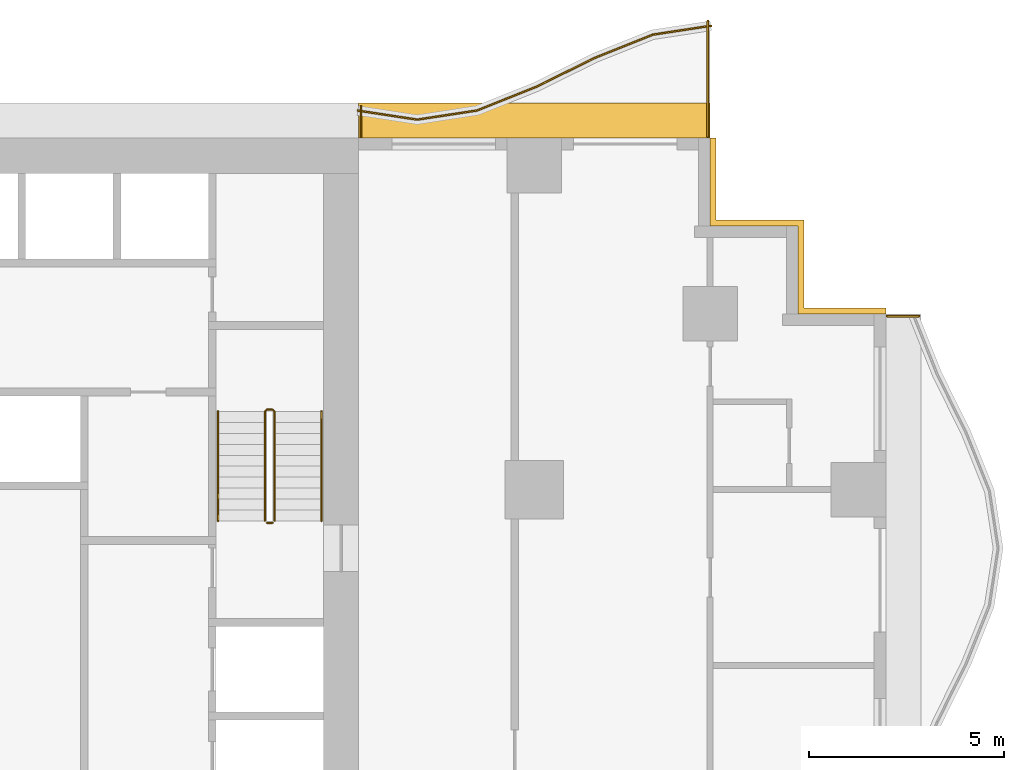
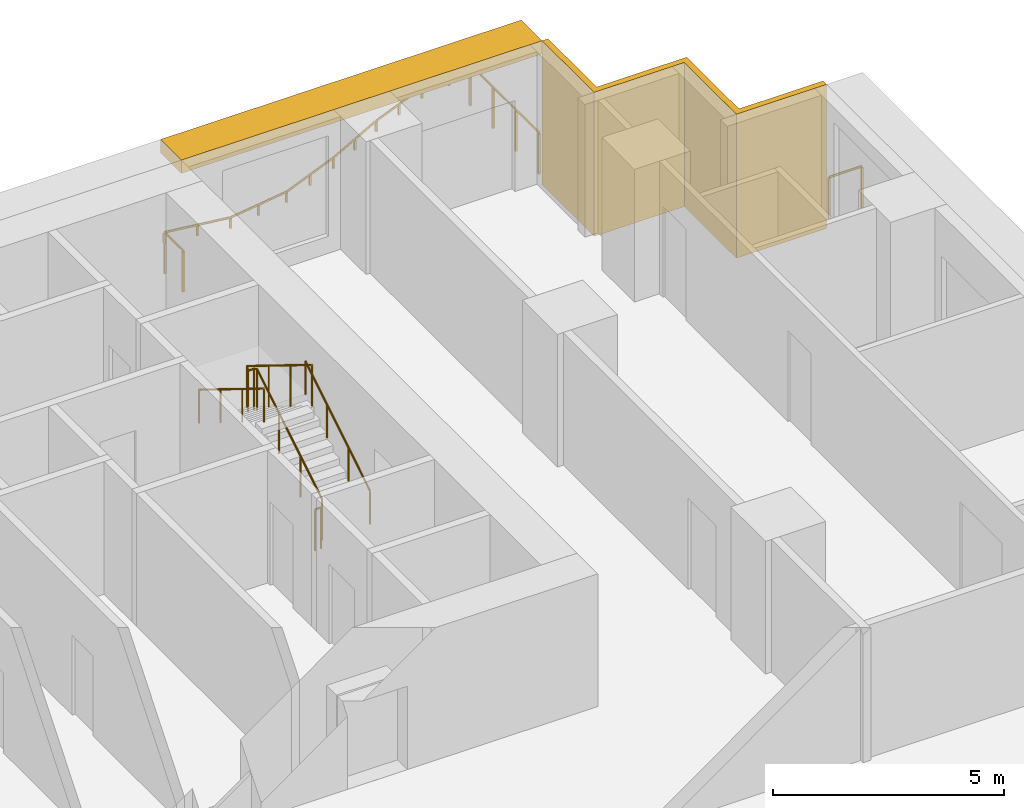
# One storey, part 13 of 13: 8 railings, 2 shading devices.
"""IFC4 building model written with IfcOpenShell, lengths in metres."""

from ifc_helpers import new_model, si_unit, direction, frame, origin, origin_2d, place, context, subcontext, project, spatial, polyline, rectangle, circle, outline, extrude, material, layer, layer_set, type_object, element, save


model = new_model("IFC4")

# Units and contexts
model_context = context("Model", 3, precision=1e-05, world=origin(), true_north=direction((0.0, 1.0)))
body_context = subcontext(model_context, "Body", "Model", "MODEL_VIEW")
ifc_project = project(units=[si_unit("LENGTHUNIT", "METRE"), si_unit("AREAUNIT", "SQUARE_METRE"), si_unit("VOLUMEUNIT", "CUBIC_METRE"), si_unit("PLANEANGLEUNIT", "RADIAN"), si_unit("MASSUNIT", "GRAM", prefix="KILO")], contexts=[model_context])

# Site, building, storey
site_placement = place(None, origin())
site = spatial("IfcSite", under=ifc_project, at=site_placement, CompositionType="ELEMENT")
building_placement = place(site_placement, origin())
building = spatial("IfcBuilding", under=site, at=building_placement, Name="Orbiselva Terraces", CompositionType="ELEMENT")
storey_placement = place(building_placement, frame((0.0, 0.0, 53.0)))
storey = spatial("IfcBuildingStorey", under=building, at=storey_placement, Name="L13", CompositionType="ELEMENT", Elevation=53.0)

# Railings
ifc_material_1 = material(Name="Stainless steel", Category="steel")
railing_type_1 = type_object("IfcRailingType", Name="CORE-GUARD-1100", PredefinedType="GUARDRAIL", material=ifc_material_1)
railing_1_placement = place(storey_placement, frame((11.35, 12.7, 0.172727)))
element("IfcRailing", 1, at=railing_1_placement, inside=storey, type_object=railing_type_1, Name="L13 S2 stair guard 1", PredefinedType="GUARDRAIL", context=body_context, shape_type="SweptSolid", body=[
    extrude(circle(Radius=0.024, at=origin_2d()), frame((0.0, 0.0, 1.081), z_axis=(0.0, 0.851088519012, 0.52502222125), x_axis=(-1.0, 0.0, 0.0)), (0.0, 0.0, 1.0), 3.289905),
    extrude(circle(Radius=0.024, at=origin_2d()), frame((0.0, 2.8, 2.808273), z_axis=(-0.707106781187, 0.707106781187, 0.0), x_axis=(-0.707106781187, -0.707106781187, 0.0)), (0.0, 0.0, 1.0), 0.070711),
    extrude(circle(Radius=0.024, at=origin_2d()), frame((-0.05, 2.85, 2.808273), z_axis=(-1.0, 0.0, 0.0), x_axis=(0.0, -1.0, 0.0)), (0.0, 0.0, 1.0), 0.15),
    extrude(circle(Radius=0.024, at=origin_2d()), frame((-0.2, 2.85, 2.808273), z_axis=(-0.267894925557, -0.267894925557, 0.925453736133), x_axis=(0.707106781187, -0.707106781187, 0.0)), (0.0, 0.0, 1.0), 0.18664),
    extrude(circle(Radius=0.024, at=origin_2d()), frame((-0.25, 2.8, 2.981), z_axis=(0.0, -0.851088519012, 0.52502222125), x_axis=(1.0, 0.0, 0.0)), (0.0, 0.0, 1.0), 3.289905),
    extrude(circle(Radius=0.021, at=origin_2d()), origin(), (0.0, 0.0, 1.0), 1.057),
    extrude(circle(Radius=0.021, at=origin_2d()), frame((0.0, 0.933333, 0.575758)), (0.0, 0.0, 1.0), 1.057),
    extrude(circle(Radius=0.021, at=origin_2d()), frame((0.0, 1.866667, 1.151515)), (0.0, 0.0, 1.0), 1.057),
    extrude(circle(Radius=0.021, at=origin_2d()), frame((0.0, 2.8, 1.727273)), (0.0, 0.0, 1.0), 1.057),
    extrude(circle(Radius=0.021, at=origin_2d()), frame((-0.05, 2.85, 1.727273)), (0.0, 0.0, 1.0), 1.057),
    extrude(circle(Radius=0.021, at=origin_2d()), frame((-0.2, 2.85, 1.727273)), (0.0, 0.0, 1.0), 1.057),
    extrude(circle(Radius=0.021, at=origin_2d()), frame((-0.25, 2.8, 1.9)), (0.0, 0.0, 1.0), 1.057),
    extrude(circle(Radius=0.021, at=origin_2d()), frame((-0.25, 1.866667, 2.475758)), (0.0, 0.0, 1.0), 1.057),
    extrude(circle(Radius=0.021, at=origin_2d()), frame((-0.25, 0.933333, 3.051515)), (0.0, 0.0, 1.0), 1.057),
    extrude(circle(Radius=0.021, at=origin_2d()), frame((-0.25, 0.0, 3.627273)), (0.0, 0.0, 1.0), 1.057),
])
railing_2_placement = place(storey_placement, frame((11.3, 12.65, 0.0)))
element("IfcRailing", 2, at=railing_2_placement, inside=storey, type_object=railing_type_1, Name="L13 S2 stair guard 2", PredefinedType="GUARDRAIL", context=body_context, shape_type="SweptSolid", body=[
    extrude(circle(Radius=0.024, at=origin_2d()), frame((0.0, 0.0, 1.081), z_axis=(-1.0, 0.0, 0.0), x_axis=(0.0, -1.0, 0.0)), (0.0, 0.0, 1.0), 0.15),
    extrude(circle(Radius=0.021, at=origin_2d()), origin(), (0.0, 0.0, 1.0), 1.057),
    extrude(circle(Radius=0.021, at=origin_2d()), frame((-0.15, 0.0, 0.0)), (0.0, 0.0, 1.0), 1.057),
])
railing_type_2 = type_object("IfcRailingType", Name="CORE-HANDRAIL-900", PredefinedType="HANDRAIL", material=ifc_material_1)
railing_3_placement = place(storey_placement, frame((12.55, 12.7, 0.172727)))
element("IfcRailing", 3, at=railing_3_placement, inside=storey, type_object=railing_type_2, Name="L13 S2 stair handrail 1", PredefinedType="HANDRAIL", context=body_context, shape_type="SweptSolid", body=[
    extrude(circle(Radius=0.024, at=origin_2d()), frame((0.0, 0.0, 0.876), z_axis=(0.0, 0.851088519012, 0.52502222125), x_axis=(-1.0, 0.0, 0.0)), (0.0, 0.0, 1.0), 3.289905),
    extrude(circle(Radius=0.021, at=origin_2d()), origin(), (0.0, 0.0, 1.0), 0.852),
    extrude(circle(Radius=0.021, at=origin_2d()), frame((0.0, 0.933333, 0.575758)), (0.0, 0.0, 1.0), 0.852),
    extrude(circle(Radius=0.021, at=origin_2d()), frame((0.0, 1.866667, 1.151515)), (0.0, 0.0, 1.0), 0.852),
    extrude(circle(Radius=0.021, at=origin_2d()), frame((0.0, 2.8, 1.727273)), (0.0, 0.0, 1.0), 0.852),
])
railing_4_placement = place(storey_placement, frame((9.9, 15.5, 2.072727)))
element("IfcRailing", 4, at=railing_4_placement, inside=storey, type_object=railing_type_2, Name="L13 S2 stair handrail 2", PredefinedType="HANDRAIL", context=body_context, shape_type="SweptSolid", body=[
    extrude(circle(Radius=0.024, at=origin_2d()), frame((0.0, 0.0, 0.876), z_axis=(0.0, -0.851088519012, 0.52502222125), x_axis=(1.0, 0.0, 0.0)), (0.0, 0.0, 1.0), 3.289905),
    extrude(circle(Radius=0.021, at=origin_2d()), origin(), (0.0, 0.0, 1.0), 0.852),
    extrude(circle(Radius=0.021, at=origin_2d()), frame((0.0, -0.933333, 0.575758)), (0.0, 0.0, 1.0), 0.852),
    extrude(circle(Radius=0.021, at=origin_2d()), frame((0.0, -1.866667, 1.151515)), (0.0, 0.0, 1.0), 0.852),
    extrude(circle(Radius=0.021, at=origin_2d()), frame((0.0, -2.8, 1.727273)), (0.0, 0.0, 1.0), 0.852),
])
ifc_material_2 = material(Name="Bonded two-ply safety glass balustrade, stainless steel posts", Category="steel")
railing_type_3 = type_object("IfcRailingType", Name="ENV-BALUSTRADE-1200", PredefinedType="BALUSTRADE", material=ifc_material_2)
railing_5_placement = place(storey_placement, frame((22.518879, 25.376434, 0.9)))
element("IfcRailing", 5, at=railing_5_placement, inside=storey, type_object=railing_type_3, Name="Balcony balustrade L13 NE", PredefinedType="BALUSTRADE", context=body_context, shape_type="SweptSolid", body=[
    extrude(outline(polyline([(0.028868, 0.0), (0.014434, 0.025), (-0.014434, 0.025), (-0.028868, 0.0), (-0.014434, -0.025), (0.014434, -0.025), (0.028868, 0.0)])), frame((0.0, 0.0, 0.275), z_axis=(-0.988528552748, -0.151034103443, 0.0), x_axis=(0.151034103443, -0.988528552748, 0.0)), (0.0, 0.0, 1.0), 1.503038),
    extrude(outline(polyline([(0.028868, 0.0), (0.014434, 0.025), (-0.014434, 0.025), (-0.028868, 0.0), (-0.014434, -0.025), (0.014434, -0.025), (0.028868, 0.0)])), frame((-1.485796, -0.22701, 0.275), z_axis=(-0.928476561272, -0.371391000387, 0.0), x_axis=(0.371391000387, -0.928476561272, 0.0)), (0.0, 0.0, 1.0), 1.596261),
    extrude(outline(polyline([(0.028868, 0.0), (0.014434, 0.025), (-0.014434, 0.025), (-0.028868, 0.0), (-0.014434, -0.025), (0.014434, -0.025), (0.028868, 0.0)])), frame((-2.967887, -0.819847, 0.275), z_axis=(-0.896416672454, -0.443212307306, 0.0), x_axis=(0.443212307306, -0.896416672454, 0.0)), (0.0, 0.0, 1.0), 1.673329),
    extrude(outline(polyline([(0.028868, 0.0), (0.014434, 0.025), (-0.014434, 0.025), (-0.028868, 0.0), (-0.014434, -0.025), (0.014434, -0.025), (0.028868, 0.0)])), frame((-4.467887, -1.561487, 0.275), z_axis=(-0.92847681744, -0.371390359967, 0.0), x_axis=(0.371390359967, -0.92847681744, 0.0)), (0.0, 0.0, 1.0), 1.634838),
    extrude(outline(polyline([(0.028868, 0.0), (0.014434, 0.025), (-0.014434, 0.025), (-0.028868, 0.0), (-0.014434, -0.025), (0.014434, -0.025), (0.028868, 0.0)])), frame((-5.985796, -2.16865, 0.275), z_axis=(-0.988528536275, -0.151034211256, 0.0), x_axis=(0.151034211256, -0.988528536275, 0.0)), (0.0, 0.0, 1.0), 1.550874),
    extrude(outline(polyline([(0.028868, 0.0), (0.014434, 0.025), (-0.014434, 0.025), (-0.028868, 0.0), (-0.014434, -0.025), (0.014434, -0.025), (0.028868, 0.0)])), frame((-7.518879, -2.402885, 0.275), z_axis=(-0.988528518286, 0.151034328999, 0.0), x_axis=(-0.151034328999, -0.988528518286, 0.0)), (0.0, 0.0, 1.0), 1.536505),
    extrude(rectangle(XDim=0.05, YDim=0.05, at=origin_2d()), origin(), (0.0, 0.0, 1.0), 0.25),
    extrude(rectangle(XDim=0.05, YDim=0.05, at=origin_2d()), frame((-0.742898, -0.113505, 0.0)), (0.0, 0.0, 1.0), 0.25),
    extrude(rectangle(XDim=0.05, YDim=0.05, at=origin_2d()), frame((-1.485796, -0.22701, 0.0)), (0.0, 0.0, 1.0), 0.25),
    extrude(rectangle(XDim=0.05, YDim=0.05, at=origin_2d()), frame((-2.226841, -0.523428, 0.0)), (0.0, 0.0, 1.0), 0.25),
    extrude(rectangle(XDim=0.05, YDim=0.05, at=origin_2d()), frame((-2.967887, -0.819847, 0.0)), (0.0, 0.0, 1.0), 0.25),
    extrude(rectangle(XDim=0.05, YDim=0.05, at=origin_2d()), frame((-3.717887, -1.190667, 0.0)), (0.0, 0.0, 1.0), 0.25),
    extrude(rectangle(XDim=0.05, YDim=0.05, at=origin_2d()), frame((-4.467887, -1.561487, 0.0)), (0.0, 0.0, 1.0), 0.25),
    extrude(rectangle(XDim=0.05, YDim=0.05, at=origin_2d()), frame((-5.226841, -1.865068, 0.0)), (0.0, 0.0, 1.0), 0.25),
    extrude(rectangle(XDim=0.05, YDim=0.05, at=origin_2d()), frame((-5.985796, -2.16865, 0.0)), (0.0, 0.0, 1.0), 0.25),
    extrude(rectangle(XDim=0.05, YDim=0.05, at=origin_2d()), frame((-6.752337, -2.285768, 0.0)), (0.0, 0.0, 1.0), 0.25),
    extrude(rectangle(XDim=0.05, YDim=0.05, at=origin_2d()), frame((-7.518879, -2.402885, 0.0)), (0.0, 0.0, 1.0), 0.25),
    extrude(rectangle(XDim=0.05, YDim=0.05, at=origin_2d()), frame((-8.278318, -2.286852, 0.0)), (0.0, 0.0, 1.0), 0.25),
    extrude(rectangle(XDim=0.05, YDim=0.05, at=origin_2d()), frame((-9.037758, -2.17082, 0.0)), (0.0, 0.0, 1.0), 0.25),
])
ifc_material_3 = material(Name="Stainless steel rail and posts", Category="steel")
railing_type_4 = type_object("IfcRailingType", Name="ENV-GUARD-1105", PredefinedType="BALUSTRADE", material=ifc_material_3)
railing_6_placement = place(storey_placement, frame((27.847212, 17.94, 0.0)))
element("IfcRailing", 6, at=railing_6_placement, inside=storey, type_object=railing_type_4, Name="Balcony end guard L13 E", PredefinedType="BALUSTRADE", context=body_context, shape_type="SweptSolid", body=[
    extrude(outline(polyline([(0.028868, 0.0), (0.014434, 0.025), (-0.014434, 0.025), (-0.028868, 0.0), (-0.014434, -0.025), (0.014434, -0.025), (0.028868, 0.0)])), frame((0.0, 0.0, 1.08), z_axis=(-1.0, 0.0, 0.0), x_axis=(0.0, -1.0, 0.0)), (0.0, 0.0, 1.0), 0.822212),
    extrude(rectangle(XDim=0.05, YDim=0.05, at=origin_2d()), origin(), (0.0, 0.0, 1.0), 1.055),
    extrude(rectangle(XDim=0.05, YDim=0.05, at=origin_2d()), frame((-0.822212, 0.0, 0.0)), (0.0, 0.0, 1.0), 1.055),
])
railing_7_placement = place(storey_placement, frame((22.44, 25.499621, 0.0)))
element("IfcRailing", 7, at=railing_7_placement, inside=storey, type_object=railing_type_4, Name="Balcony end guard L13 NE", PredefinedType="BALUSTRADE", context=body_context, shape_type="SweptSolid", body=[
    extrude(outline(polyline([(0.028868, 0.0), (0.014434, 0.025), (-0.014434, 0.025), (-0.028868, 0.0), (-0.014434, -0.025), (0.014434, -0.025), (0.028868, 0.0)])), frame((0.0, 0.0, 1.08), z_axis=(0.0, -1.0, 0.0), x_axis=(1.0, 0.0, 0.0)), (0.0, 0.0, 1.0), 2.974621),
    extrude(rectangle(XDim=0.05, YDim=0.05, at=origin_2d()), origin(), (0.0, 0.0, 1.0), 1.055),
    extrude(rectangle(XDim=0.05, YDim=0.05, at=origin_2d()), frame((0.0, -0.99154, 0.0)), (0.0, 0.0, 1.0), 1.055),
    extrude(rectangle(XDim=0.05, YDim=0.05, at=origin_2d()), frame((0.0, -1.983081, 0.0)), (0.0, 0.0, 1.0), 1.055),
    extrude(rectangle(XDim=0.05, YDim=0.05, at=origin_2d()), frame((0.0, -2.974621, 0.0)), (0.0, 0.0, 1.0), 1.055),
])
railing_8_placement = place(storey_placement, frame((13.56, 23.311761, 0.0)))
element("IfcRailing", 8, at=railing_8_placement, inside=storey, type_object=railing_type_4, Name="Balcony end guard L13 NE", PredefinedType="BALUSTRADE", context=body_context, shape_type="SweptSolid", body=[
    extrude(outline(polyline([(0.028868, 0.0), (0.014434, 0.025), (-0.014434, 0.025), (-0.028868, 0.0), (-0.014434, -0.025), (0.014434, -0.025), (0.028868, 0.0)])), frame((0.0, 0.0, 1.08), z_axis=(0.0, -1.0, 0.0), x_axis=(1.0, 0.0, 0.0)), (0.0, 0.0, 1.0), 0.786761),
    extrude(rectangle(XDim=0.05, YDim=0.05, at=origin_2d()), origin(), (0.0, 0.0, 1.0), 1.055),
    extrude(rectangle(XDim=0.05, YDim=0.05, at=origin_2d()), frame((0.0, -0.786761, 0.0)), (0.0, 0.0, 1.0), 1.055),
])

# Shading devices
ifc_material_4 = material(Name="Terracotta louvre screen", Category="masonry")
ifc_layer_1 = layer(ifc_material_4, 0.15)
ifc_layer_set_1 = layer_set([ifc_layer_1], Name="Terracotta louvre screen")
shading_device_type_1 = type_object("IfcShadingDeviceType", Name="ENV-SCREEN-150", PredefinedType="USERDEFINED", material=ifc_layer_set_1)
shading_device_1_placement = place(storey_placement, frame((0.0, 0.0, -0.3)))
element("IfcShadingDevice", 9, at=shading_device_1_placement, inside=storey, type_object=shading_device_type_1, Name="Louvre screen L13 NE", ObjectType="SCREEN", PredefinedType="USERDEFINED", context=body_context, shape_type="SweptSolid", body=[
    extrude(outline(polyline([(27.0, 18.15), (24.9, 18.15), (24.9, 20.4), (22.65, 20.4), (22.65, 22.5), (22.5, 22.5), (22.5, 20.25), (24.75, 20.25), (24.75, 18.0), (27.0, 18.0), (27.0, 18.15)])), origin(), (0.0, 0.0, 1.0), 3.8),
])
ifc_material_5 = material(Name="Terracotta baguette sunshade", Category="masonry")
ifc_layer_2 = layer(ifc_material_5, 0.35)
ifc_layer_set_2 = layer_set([ifc_layer_2], Name="Terracotta baguette sunshade")
shading_device_type_2 = type_object("IfcShadingDeviceType", Name="ENV-SUNSHADE-900x350", PredefinedType="USERDEFINED", material=ifc_layer_set_2)
shading_device_2_placement = place(storey_placement, frame((0.0, 0.0, 3.15)))
element("IfcShadingDevice", 10, at=shading_device_2_placement, inside=storey, type_object=shading_device_type_2, Name="Sunshade band L13 NE", ObjectType="SUNSHADE", PredefinedType="USERDEFINED", context=body_context, shape_type="SweptSolid", body=[
    extrude(outline(polyline([(22.5, 23.4), (13.5, 23.4), (13.5, 22.5), (22.5, 22.5), (22.5, 23.4)])), origin(), (0.0, 0.0, 1.0), 0.35),
])

save(model, "model.ifc")
